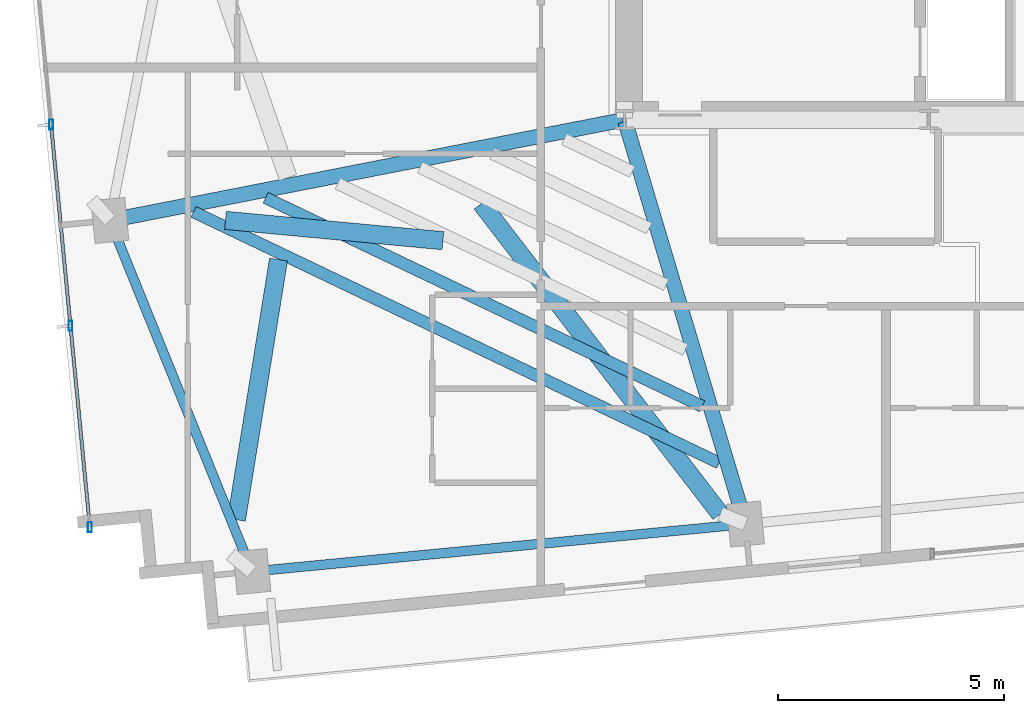
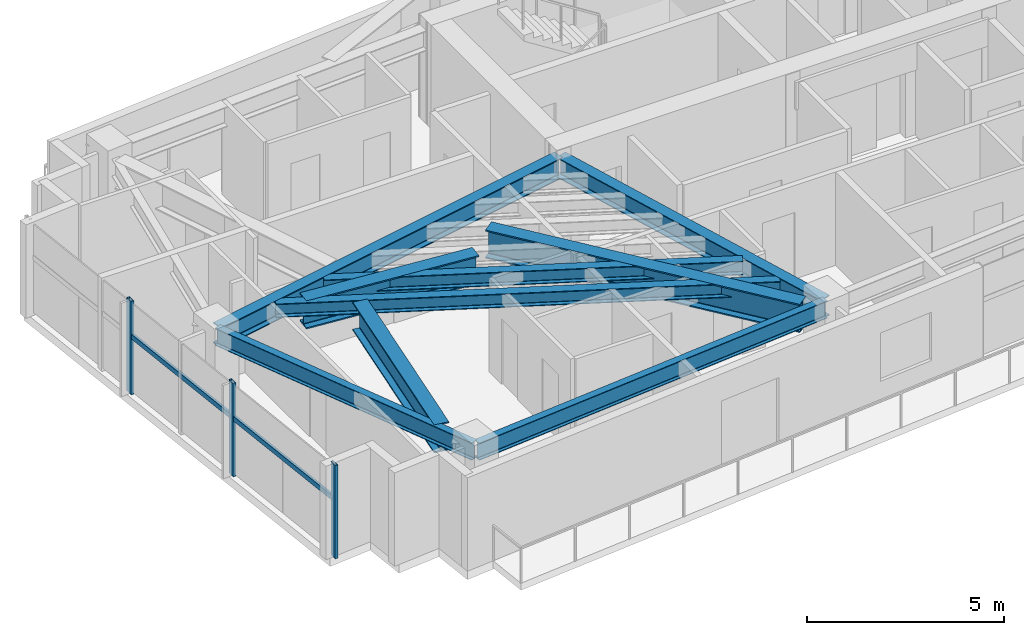
# One storey, part 2 of 18: 9 beams, 5 members, 1 element without a shape of its own.
"""IFC4 building model written with IfcOpenShell, lengths in metres."""

from ifc_helpers import new_model, si_unit, direction, frame, origin, origin_2d, place, context, subcontext, project, spatial, hollow_rectangle, i_section, extrude, source, transform, mapped, material, material_profile, profile_set, type_object, type_shapes, element, aggregate, save


model = new_model("IFC4")

# Units and contexts
model_context = context("Model", 3, precision=1e-05, world=origin(), true_north=direction((0.0, 1.0)))
body_context = subcontext(model_context, "Body", "Model", "MODEL_VIEW")
ifc_project = project(units=[si_unit("LENGTHUNIT", "METRE"), si_unit("AREAUNIT", "SQUARE_METRE"), si_unit("VOLUMEUNIT", "CUBIC_METRE"), si_unit("PLANEANGLEUNIT", "RADIAN"), si_unit("MASSUNIT", "GRAM", prefix="KILO")], contexts=[model_context])

# Site, building, storey
site_placement = place(None, origin())
site = spatial("IfcSite", under=ifc_project, at=site_placement, CompositionType="ELEMENT")
building_placement = place(site_placement, origin())
building = spatial("IfcBuilding", under=site, at=building_placement, Name="Astriad Promenade Condominiums", CompositionType="ELEMENT")
storey_placement = place(building_placement, frame((0.0, 0.0, 208.199951171875)))
storey = spatial("IfcBuildingStorey", under=building, at=storey_placement, Name="L60", CompositionType="ELEMENT", Elevation=208.199951171875)

# Beams
ifc_material_1 = material(Name="Steel ASTM A992 Grade 50", Category="steel")
ifc_material_profile_1 = material_profile(ifc_material_1, i_section(OverallWidth=0.210693359375, OverallDepth=0.53955078125, WebThickness=0.01171875, FlangeThickness=0.018798828125, FilletRadius=0.0166015625, at=origin_2d()), Name="W21X73")
ifc_profile_set_1 = profile_set([ifc_material_profile_1], Name="Steel ASTM A992 Grade 50")
beam_type_1 = type_object("IfcBeamType", Name="STEEL SPANDREL BEAM W21X73", PredefinedType="SPANDREL", material=ifc_profile_set_1)
shared_shape_1 = source(origin(), body_context, "Body", "SweptSolid", [
    extrude(i_section(OverallWidth=0.210693359375, OverallDepth=0.53955078125, WebThickness=0.01171875, FlangeThickness=0.018798828125, FilletRadius=0.0166015625, at=origin_2d()), origin(), (0.0, 0.0, 1.0), 10.8701171875),
])
beam_1_placement = place(storey_placement, frame((18.209228515625, 7.421630859375, 2.63037109375), z_axis=(0.995394986184, 0.09585834069, 0.0), x_axis=(-0.09585834069, 0.995394986184, 0.0)))
element("IfcBeam", 1, at=beam_1_placement, inside=storey, type_object=beam_type_1, Name="Perimeter Spandrel Beam SP-S1-L60", PredefinedType="SPANDREL", context=body_context, shape_type="MappedRepresentation", body=[
    mapped(shared_shape_1, transform((0.0, 0.0, 0.0), scale=1.0)),
])
shared_shape_2 = source(origin(), body_context, "Body", "SweptSolid", [
    extrude(i_section(OverallWidth=0.210693359375, OverallDepth=0.53955078125, WebThickness=0.01171875, FlangeThickness=0.018798828125, FilletRadius=0.0166015625, at=origin_2d()), origin(), (0.0, 0.0, 1.0), 8.28564453125),
])
type_shapes(beam_type_1, [shared_shape_1, shared_shape_2])
beam_2_placement = place(storey_placement, frame((15.046875, 15.1357421875, 2.63037109375), z_axis=(0.375070987134, -0.926996092014, 0.0), x_axis=(0.926996092014, 0.375070987134, 0.0)))
element("IfcBeam", 2, at=beam_2_placement, inside=storey, type_object=beam_type_1, Name="Perimeter Spandrel Beam SP-W1-L60", PredefinedType="SPANDREL", context=body_context, shape_type="MappedRepresentation", body=[
    mapped(shared_shape_2, transform((0.0, 0.0, 0.0), scale=1.0)),
])
ifc_material_profile_2 = material_profile(ifc_material_1, i_section(OverallWidth=0.327392578125, OverallDepth=0.640625, WebThickness=0.01904296875, FlangeThickness=0.033935546875, FilletRadius=0.017822265625, at=origin_2d()), Name="W24X176")
ifc_profile_set_2 = profile_set([ifc_material_profile_2], Name="Steel ASTM A992 Grade 50")
beam_type_2 = type_object("IfcBeamType", Name="STEEL FLOOR GIRDER W24X176", PredefinedType="BEAM", material=ifc_profile_set_2)
shared_shape_3 = source(origin(), body_context, "Body", "SweptSolid", [
    extrude(i_section(OverallWidth=0.327392578125, OverallDepth=0.640625, WebThickness=0.01904296875, FlangeThickness=0.033935546875, FilletRadius=0.017822265625, at=origin_2d()), origin(), (0.0, 0.0, 1.0), 11.504150390625),
])
type_shapes(beam_type_2, [shared_shape_3])
beam_3_placement = place(storey_placement, frame((15.071044921875, 15.1806640625, 2.579833984375), z_axis=(0.981346028441, 0.192249765833, 0.0), x_axis=(-0.192249765833, 0.981346028441, 0.0)))
element("IfcBeam", 3, at=beam_3_placement, inside=storey, type_object=beam_type_2, Name="Primary Floor Girder PG-WM-L60", PredefinedType="BEAM", context=body_context, shape_type="MappedRepresentation", body=[
    mapped(shared_shape_3, transform((0.0, 0.0, 0.0), scale=1.0)),
])
ifc_material_profile_3 = material_profile(ifc_material_1, i_section(OverallWidth=0.326416015625, OverallDepth=0.621826171875, WebThickness=0.015380859375, FlangeThickness=0.0244140625, FilletRadius=0.017822265625, at=origin_2d()), Name="W24X131")
ifc_profile_set_3 = profile_set([ifc_material_profile_3], Name="Steel ASTM A992 Grade 50")
beam_type_3 = type_object("IfcBeamType", Name="STEEL FLOOR GIRDER W24X131", PredefinedType="BEAM", material=ifc_profile_set_3)
shared_shape_4 = source(origin(), body_context, "Body", "SweptSolid", [
    extrude(i_section(OverallWidth=0.326416015625, OverallDepth=0.621826171875, WebThickness=0.015380859375, FlangeThickness=0.0244140625, FilletRadius=0.017822265625, at=origin_2d()), origin(), (0.0, 0.0, 1.0), 9.242919921875),
])
type_shapes(beam_type_3, [shared_shape_4])
beam_4_placement = place(storey_placement, frame((29.0576171875, 8.505615234375, 2.589111328125), z_axis=(-0.286269354745, 0.958149182818, 0.0), x_axis=(-0.958149182818, -0.286269354745, 0.0)))
element("IfcBeam", 4, at=beam_4_placement, inside=storey, type_object=beam_type_3, Name="Primary Floor Girder PG-W2-L60", PredefinedType="BEAM", context=body_context, shape_type="MappedRepresentation", body=[
    mapped(shared_shape_4, transform((0.0, 0.0, 0.0), scale=1.0)),
])
ifc_material_profile_4 = material_profile(ifc_material_1, i_section(OverallWidth=0.26318359375, OverallDepth=0.425537109375, WebThickness=0.01318359375, FlangeThickness=0.022216796875, FilletRadius=0.013916015625, at=origin_2d()), Name="W16X89")
ifc_profile_set_4 = profile_set([ifc_material_profile_4], Name="Steel ASTM A992 Grade 50")
beam_type_4 = type_object("IfcBeamType", Name="STEEL FLOOR JOIST W16X89", PredefinedType="JOIST", material=ifc_profile_set_4)
shared_shape_5 = source(origin(), body_context, "Body", "SweptSolid", [
    extrude(i_section(OverallWidth=0.26318359375, OverallDepth=0.425537109375, WebThickness=0.01318359375, FlangeThickness=0.022216796875, FilletRadius=0.013916015625, at=origin_2d()), origin(), (0.0, 0.0, 1.0), 12.864013671875),
])
beam_5_placement = place(storey_placement, frame((16.8798828125, 15.362060546875, 2.687255859375), z_axis=(0.902332932985, -0.431039763886, 0.0), x_axis=(0.431039763886, 0.902332932985, 0.0)))
element("IfcBeam", 5, at=beam_5_placement, inside=storey, type_object=beam_type_4, Name="Secondary Composite Floor Joist JW1-1-L60", PredefinedType="JOIST", context=body_context, shape_type="MappedRepresentation", body=[
    mapped(shared_shape_5, transform((0.0, 0.0, 0.0), scale=1.0)),
])
shared_shape_6 = source(origin(), body_context, "Body", "SweptSolid", [
    extrude(i_section(OverallWidth=0.26318359375, OverallDepth=0.425537109375, WebThickness=0.01318359375, FlangeThickness=0.022216796875, FilletRadius=0.013916015625, at=origin_2d()), origin(), (0.0, 0.0, 1.0), 10.686279296875),
])
type_shapes(beam_type_4, [shared_shape_5, shared_shape_6])
beam_6_placement = place(storey_placement, frame((18.471435546875, 15.673828125, 2.687255859375), z_axis=(0.902342124644, -0.431020521661, 0.0), x_axis=(0.431020521661, 0.902342124644, 0.0)))
element("IfcBeam", 6, at=beam_6_placement, inside=storey, type_object=beam_type_4, Name="Secondary Composite Floor Joist JW1-2-L60", PredefinedType="JOIST", context=body_context, shape_type="MappedRepresentation", body=[
    mapped(shared_shape_6, transform((0.0, 0.0, 0.0), scale=1.0)),
])
ifc_material_profile_5 = material_profile(ifc_material_1, i_section(OverallWidth=0.4013671875, OverallDepth=0.877197265625, WebThickness=0.022216796875, FlangeThickness=0.039794921875, FilletRadius=0.02294921875, at=origin_2d()), Name="W33X263")
ifc_profile_set_5 = profile_set([ifc_material_profile_5], Name="Steel ASTM A992 Grade 50")
beam_type_5 = type_object("IfcBeamType", Name="STEEL TRANSFER CARRIER GIRDER W33X263", PredefinedType="BEAM", material=ifc_profile_set_5)
shared_shape_7 = source(origin(), body_context, "Body", "SweptSolid", [
    extrude(i_section(OverallWidth=0.4013671875, OverallDepth=0.877197265625, WebThickness=0.022216796875, FlangeThickness=0.039794921875, FilletRadius=0.02294921875, at=origin_2d()), origin(), (0.0, 0.0, 1.0), 5.822265625),
])
beam_7_placement = place(storey_placement, frame((18.756103515625, 14.309326171875, 2.461669921875), z_axis=(-0.159759751807, -0.987155925729, 0.0), x_axis=(0.987155925729, -0.159759751807, 0.0)))
element("IfcBeam", 7, at=beam_7_placement, inside=storey, type_object=beam_type_5, Name="Transfer Splice Carrier TRM-SP-PC01-L60", PredefinedType="BEAM", context=body_context, shape_type="MappedRepresentation", body=[
    mapped(shared_shape_7, transform((0.0, 0.0, 0.0), scale=1.0)),
])
shared_shape_8 = source(origin(), body_context, "Body", "SweptSolid", [
    extrude(i_section(OverallWidth=0.4013671875, OverallDepth=0.877197265625, WebThickness=0.022216796875, FlangeThickness=0.039794921875, FilletRadius=0.02294921875, at=origin_2d()), origin(), (0.0, 0.0, 1.0), 8.64794921875),
])
beam_8_placement = place(storey_placement, frame((23.236083984375, 15.544189453125, 2.461669921875), z_axis=(0.609967225193, -0.792426642782, 0.0), x_axis=(0.792426642782, 0.609967225193, 0.0)))
element("IfcBeam", 8, at=beam_8_placement, inside=storey, type_object=beam_type_5, Name="Transfer Splice Carrier TRM-SP-PC02-L60", PredefinedType="BEAM", context=body_context, shape_type="MappedRepresentation", body=[
    mapped(shared_shape_8, transform((0.0, 0.0, 0.0), scale=1.0)),
])
shared_shape_9 = source(origin(), body_context, "Body", "SweptSolid", [
    extrude(i_section(OverallWidth=0.4013671875, OverallDepth=0.877197265625, WebThickness=0.022216796875, FlangeThickness=0.039794921875, FilletRadius=0.02294921875, at=origin_2d()), origin(), (0.0, 0.0, 1.0), 4.82421875),
])
type_shapes(beam_type_5, [shared_shape_7, shared_shape_8, shared_shape_9])
beam_9_placement = place(storey_placement, frame((22.387451171875, 14.7255859375, 2.461669921875), z_axis=(-0.995645682326, 0.093218427714, 0.0), x_axis=(-0.093218427714, -0.995645682326, 0.0)))
element("IfcBeam", 9, at=beam_9_placement, inside=storey, type_object=beam_type_5, Name="Transfer Splice Carrier TRM-SP-PC11-L60", PredefinedType="BEAM", context=body_context, shape_type="MappedRepresentation", body=[
    mapped(shared_shape_9, transform((0.0, 0.0, 0.0), scale=1.0)),
])

# Curtain wall, members
ifc_material_2 = material(Name="Anodised aluminium Black Dark Glass Unitised", Category="aluminium")
curtain_wall_type = type_object("IfcCurtainWallType", Name="CW-B34-DARK", PredefinedType="USERDEFINED", material=ifc_material_2)
curtain_wall_placement = place(storey_placement, origin())
curtain_wall = element("IfcCurtainWall", 10, at=curtain_wall_placement, inside=storey, type_object=curtain_wall_type, Name="CW-L60-W", ObjectType="UNITISED_CURTAIN_WALL", PredefinedType="USERDEFINED")
ifc_material_3 = material(Name="Anodised aluminium 6063-T6 Black", Category="aluminium")
ifc_material_profile_6 = material_profile(ifc_material_3, hollow_rectangle(XDim=0.074951171875, YDim=0.14990234375, WallThickness=0.004150390625, at=origin_2d()), Name="ALU-TRN-75X150")
ifc_profile_set_6 = profile_set([ifc_material_profile_6], Name="Anodised aluminium 6063-T6 Black")
member_type_1 = type_object("IfcMemberType", Name="TRN-ALU-TRN-75X150", PredefinedType="USERDEFINED", material=ifc_profile_set_6)
shared_shape_10 = source(origin(), body_context, "Body", "SweptSolid", [
    extrude(hollow_rectangle(XDim=0.074951171875, YDim=0.14990234375, WallThickness=0.004150390625, at=origin_2d()), origin(), (0.0, 0.0, 1.0), 4.466552734375),
])
type_shapes(member_type_1, [shared_shape_10])
member_1_placement = place(storey_placement, frame((14.589111328125, 8.3994140625, 1.798095703125), z_axis=(-0.095871755514, 0.995393694221, 0.0), x_axis=(-0.995393694221, -0.095871755514, 0.0)))
member_1 = element("IfcMember", 11, at=member_1_placement, type_object=member_type_1, Name="CW-L60-W-TRN-00-0", ObjectType="TRANSOM", PredefinedType="USERDEFINED", context=body_context, shape_type="MappedRepresentation", body=[
    mapped(shared_shape_10, transform((0.0, 0.0, 0.0), scale=1.0)),
])
member_2_placement = place(storey_placement, frame((14.160888671875, 12.845458984375, 1.798095703125), z_axis=(-0.095871755514, 0.995393694221, 0.0), x_axis=(-0.995393694221, -0.095871755514, 0.0)))
member_2 = element("IfcMember", 12, at=member_2_placement, type_object=member_type_1, Name="CW-L60-W-TRN-01-0", ObjectType="TRANSOM", PredefinedType="USERDEFINED", context=body_context, shape_type="MappedRepresentation", body=[
    mapped(shared_shape_10, transform((0.0, 0.0, 0.0), scale=1.0)),
])
ifc_material_profile_7 = material_profile(ifc_material_3, hollow_rectangle(XDim=0.0849609375, YDim=0.219970703125, WallThickness=0.0048828125, at=origin_2d()), Name="ALU-MUL-85X220")
ifc_profile_set_7 = profile_set([ifc_material_profile_7], Name="Anodised aluminium 6063-T6 Black")
member_type_2 = type_object("IfcMemberType", Name="MUL-ALU-MUL-85X220", PredefinedType="MULLION", material=ifc_profile_set_7)
shared_shape_11 = source(origin(), body_context, "Body", "SweptSolid", [
    extrude(hollow_rectangle(XDim=0.0849609375, YDim=0.219970703125, WallThickness=0.0048828125, at=origin_2d()), origin(), (0.0, 0.0, 1.0), 2.900146484375),
])
type_shapes(member_type_2, [shared_shape_11])
member_3_placement = place(storey_placement, frame((14.589111328125, 8.3994140625, 0.0), z_axis=(0.0, 0.0, 1.0), x_axis=(1.0, 0.0, 0.0)))
member_3 = element("IfcMember", 13, at=member_3_placement, type_object=member_type_2, Name="CW-L60-W-MUL-00", PredefinedType="MULLION", context=body_context, shape_type="MappedRepresentation", body=[
    mapped(shared_shape_11, transform((0.0, 0.0, 0.0), scale=1.0)),
])
member_4_placement = place(storey_placement, frame((14.160888671875, 12.845458984375, 0.0), z_axis=(0.0, 0.0, 1.0), x_axis=(1.0, 0.0, 0.0)))
member_4 = element("IfcMember", 14, at=member_4_placement, type_object=member_type_2, Name="CW-L60-W-MUL-01", PredefinedType="MULLION", context=body_context, shape_type="MappedRepresentation", body=[
    mapped(shared_shape_11, transform((0.0, 0.0, 0.0), scale=1.0)),
])
member_5_placement = place(storey_placement, frame((13.732666015625, 17.29150390625, 0.0), z_axis=(0.0, 0.0, 1.0), x_axis=(1.0, 0.0, 0.0)))
member_5 = element("IfcMember", 15, at=member_5_placement, type_object=member_type_2, Name="CW-L60-W-MUL-02", PredefinedType="MULLION", context=body_context, shape_type="MappedRepresentation", body=[
    mapped(shared_shape_11, transform((0.0, 0.0, 0.0), scale=1.0)),
])
aggregate(curtain_wall, [member_3, member_4, member_5, member_1, member_2])

save(model, "model.ifc")
